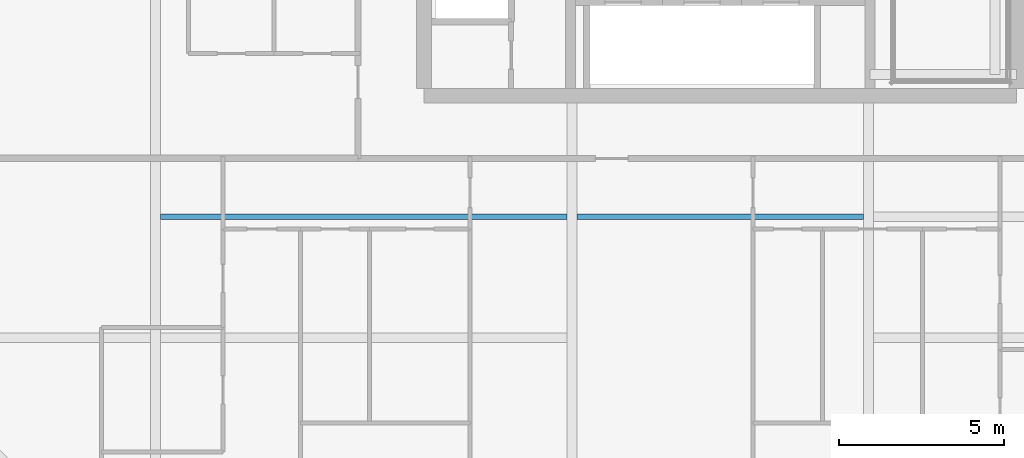
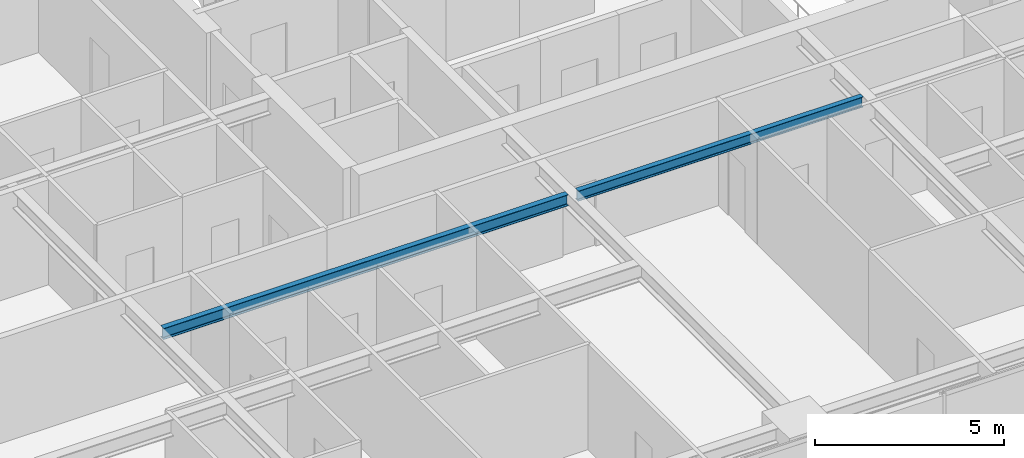
# One storey, part 10 of 40: 2 beams.
"""IFC4 building model written with IfcOpenShell, lengths in metres."""

from ifc_helpers import new_model, si_unit, direction, frame, origin, origin_2d, place, context, subcontext, project, spatial, i_section, extrude, source, transform, mapped, material, material_profile, profile_set, type_object, element, save


model = new_model("IFC4")

# Units and contexts
model_context = context("Model", 3, precision=1e-05, world=origin(), true_north=direction((0.0, 1.0)))
body_context = subcontext(model_context, "Body", "Model", "MODEL_VIEW")
ifc_project = project(units=[si_unit("LENGTHUNIT", "METRE"), si_unit("AREAUNIT", "SQUARE_METRE"), si_unit("VOLUMEUNIT", "CUBIC_METRE"), si_unit("PLANEANGLEUNIT", "RADIAN"), si_unit("MASSUNIT", "GRAM", prefix="KILO")], contexts=[model_context])

# Site, building, storey
site_placement = place(None, origin())
site = spatial("IfcSite", under=ifc_project, at=site_placement, CompositionType="ELEMENT")
building_placement = place(site_placement, origin())
building = spatial("IfcBuilding", under=site, at=building_placement, Name="Serunith Strait Residences", CompositionType="ELEMENT")
storey_placement = place(building_placement, frame((0.0, 0.0, 105.449951171875)))
storey = spatial("IfcBuildingStorey", under=building, at=storey_placement, Name="L26", CompositionType="ELEMENT", Elevation=105.449951171875)

# Beams
ifc_material = material(Name="Steel S355J2", Category="steel")
ifc_material_profile_1 = material_profile(ifc_material, i_section(OverallWidth=0.169921875, OverallDepth=0.360107421875, WebThickness=0.008056640625, FlangeThickness=0.0126953125, FilletRadius=0.01806640625, at=origin_2d()), Name="IPE 360")
ifc_profile_set_1 = profile_set([ifc_material_profile_1], Name="Steel S355J2")
beam_type_1 = type_object("IfcBeamType", Name="BM-IPE360", PredefinedType="JOIST", material=ifc_profile_set_1)
shared_shape_1 = source(origin(), body_context, "Body", "SweptSolid", [
    extrude(i_section(OverallWidth=0.169921875, OverallDepth=0.360107421875, WebThickness=0.008056640625, FlangeThickness=0.0126953125, FilletRadius=0.01806640625, at=origin_2d()), origin(), (0.0, 0.0, 1.0), 12.35009765625),
])
beam_1_placement = place(storey_placement, frame((15.39990234375, 13.125, 3.20703125), z_axis=(1.0, 0.0, 0.0), x_axis=(0.0, 1.0, 0.0)))
element("IfcBeam", 1, at=beam_1_placement, inside=storey, type_object=beam_type_1, Name="L26 Composite Floor Joist 01", PredefinedType="JOIST", context=body_context, shape_type="MappedRepresentation", body=[
    mapped(shared_shape_1, transform((0.0, 0.0, 0.0), scale=1.0)),
])
ifc_material_profile_2 = material_profile(ifc_material, i_section(OverallWidth=0.159912109375, OverallDepth=0.330078125, WebThickness=0.007568359375, FlangeThickness=0.011474609375, FilletRadius=0.01806640625, at=origin_2d()), Name="IPE 330")
ifc_profile_set_2 = profile_set([ifc_material_profile_2], Name="Steel S355J2")
beam_type_2 = type_object("IfcBeamType", Name="BM-IPE330", PredefinedType="JOIST", material=ifc_profile_set_2)
shared_shape_2 = source(origin(), body_context, "Body", "SweptSolid", [
    extrude(i_section(OverallWidth=0.159912109375, OverallDepth=0.330078125, WebThickness=0.007568359375, FlangeThickness=0.011474609375, FilletRadius=0.01806640625, at=origin_2d()), origin(), (0.0, 0.0, 1.0), 8.699951171875),
])
beam_2_placement = place(storey_placement, frame((28.050048828125, 13.125, 3.22216796875), z_axis=(1.0, 0.0, 0.0), x_axis=(0.0, 1.0, 0.0)))
element("IfcBeam", 2, at=beam_2_placement, inside=storey, type_object=beam_type_2, Name="L26 Composite Floor Joist 02", PredefinedType="JOIST", context=body_context, shape_type="MappedRepresentation", body=[
    mapped(shared_shape_2, transform((0.0, 0.0, 0.0), scale=1.0)),
])

save(model, "model.ifc")
